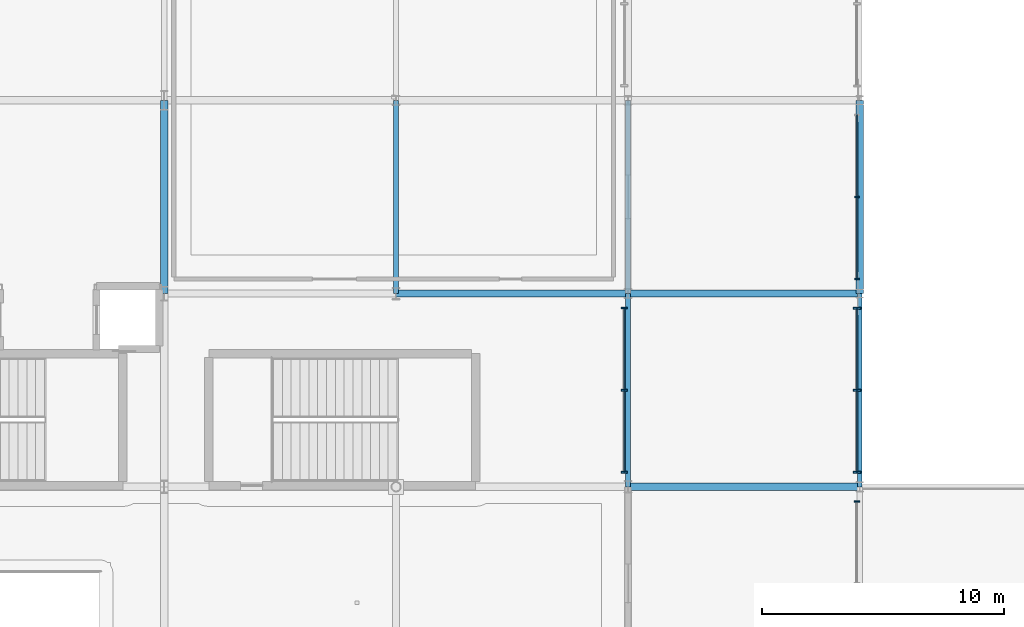
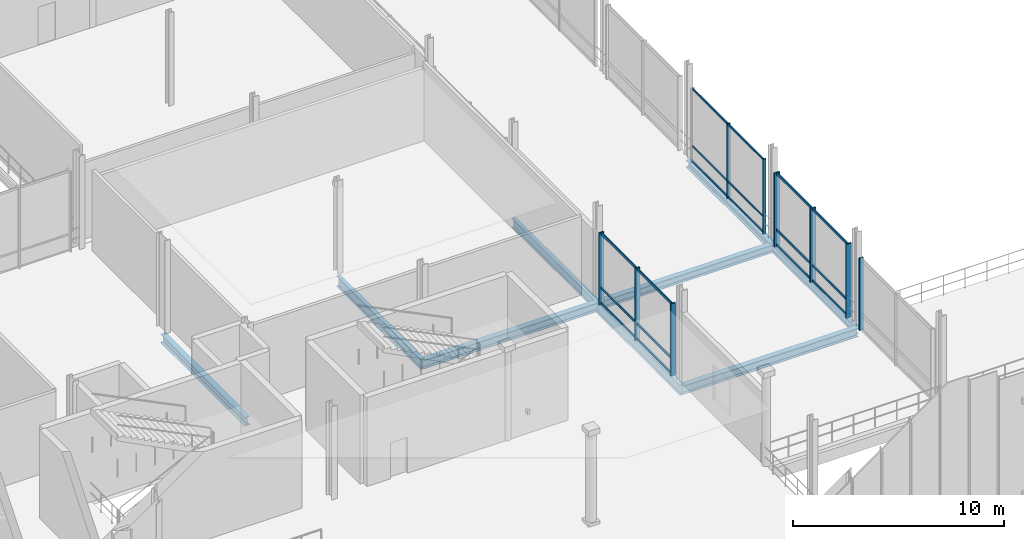
# One storey, part 41 of 129: 18 members, 9 beams, 4 elements without a shape of their own.
"""IFC4 building model written with IfcOpenShell, lengths in metres."""

from ifc_helpers import new_model, si_unit, direction, frame, origin, origin_2d, place, context, subcontext, project, spatial, rectangle, i_section, extrude, material, material_profile, profile_set, type_object, element, aggregate, save


model = new_model("IFC4")

# Units and contexts
model_context = context("Model", 3, precision=1e-05, world=origin(), true_north=direction((0.0, 1.0)))
body_context = subcontext(model_context, "Body", "Model", "MODEL_VIEW")
ifc_project = project(units=[si_unit("LENGTHUNIT", "METRE"), si_unit("AREAUNIT", "SQUARE_METRE"), si_unit("VOLUMEUNIT", "CUBIC_METRE"), si_unit("PLANEANGLEUNIT", "RADIAN"), si_unit("MASSUNIT", "GRAM", prefix="KILO")], contexts=[model_context])

# Site, building, storey
site_placement = place(None, origin())
site = spatial("IfcSite", under=ifc_project, at=site_placement, CompositionType="ELEMENT")
building_placement = place(site_placement, origin())
building = spatial("IfcBuilding", under=site, at=building_placement, Name="Danafjord Basin Convention Centre", CompositionType="ELEMENT")
storey_placement = place(building_placement, frame((0.0, 0.0, 6.0)))
storey = spatial("IfcBuildingStorey", under=building, at=storey_placement, Name="L01", CompositionType="ELEMENT", Elevation=6.0)

# Beams
ifc_material_1 = material(Name="Steel S355", Category="steel")
ifc_material_profile_1 = material_profile(ifc_material_1, i_section(OverallWidth=0.300048828125, OverallDepth=0.449951171875, WebThickness=0.013916015625, FlangeThickness=0.02587890625, FilletRadius=0.027099609375, at=origin_2d()), Name="HEB 450")
ifc_profile_set_1 = profile_set([ifc_material_profile_1], Name="Steel S355")
beam_type_1 = type_object("IfcBeamType", Name="BEAM-BM-HEB450", PredefinedType="BEAM", material=ifc_profile_set_1)
beam_1_placement = place(storey_placement, frame((115.199951171875, 24.0, -0.455078125), z_axis=(1.0, 0.0, 0.0), x_axis=(0.0, 1.0, 0.0)))
element("IfcBeam", 1, at=beam_1_placement, inside=storey, type_object=beam_type_1, Name="L01 girder BM-HEB450", PredefinedType="BEAM", context=body_context, shape_type="SweptSolid", body=[
    extrude(i_section(OverallWidth=0.300048828125, OverallDepth=0.449951171875, WebThickness=0.013916015625, FlangeThickness=0.02587890625, FilletRadius=0.027099609375, at=origin_2d()), origin(), (0.0, 0.0, 1.0), 9.60009765625),
])
ifc_material_profile_2 = material_profile(ifc_material_1, i_section(OverallWidth=0.300048828125, OverallDepth=0.5, WebThickness=0.014404296875, FlangeThickness=0.028076171875, FilletRadius=0.027099609375, at=origin_2d()), Name="HEB 500")
ifc_profile_set_2 = profile_set([ifc_material_profile_2], Name="Steel S355")
beam_type_2 = type_object("IfcBeamType", Name="BEAM-BM-HEB500", PredefinedType="BEAM", material=ifc_profile_set_2)
beam_2_placement = place(storey_placement, frame((105.60009765625, 24.0, -0.47998046875), z_axis=(1.0, 0.0, 0.0), x_axis=(0.0, 1.0, 0.0)))
element("IfcBeam", 2, at=beam_2_placement, inside=storey, type_object=beam_type_2, Name="L01 girder BM-HEB500", PredefinedType="BEAM", context=body_context, shape_type="SweptSolid", body=[
    extrude(i_section(OverallWidth=0.300048828125, OverallDepth=0.5, WebThickness=0.014404296875, FlangeThickness=0.028076171875, FilletRadius=0.027099609375, at=origin_2d()), origin(), (0.0, 0.0, 1.0), 9.599853515625),
])
beam_3_placement = place(storey_placement, frame((115.199951171875, 16.0, -0.47998046875), z_axis=(1.0, 0.0, 0.0), x_axis=(0.0, 1.0, 0.0)))
element("IfcBeam", 3, at=beam_3_placement, inside=storey, type_object=beam_type_2, Name="L01 girder BM-HEB500", PredefinedType="BEAM", context=body_context, shape_type="SweptSolid", body=[
    extrude(i_section(OverallWidth=0.300048828125, OverallDepth=0.5, WebThickness=0.014404296875, FlangeThickness=0.028076171875, FilletRadius=0.027099609375, at=origin_2d()), origin(), (0.0, 0.0, 1.0), 9.60009765625),
])
beam_4_placement = place(storey_placement, frame((96.0, 24.0, -0.47998046875), z_axis=(0.0, 1.0, 0.0), x_axis=(-1.0, 0.0, 0.0)))
element("IfcBeam", 4, at=beam_4_placement, inside=storey, type_object=beam_type_2, Name="L01 transverse girder BM-HEB500", PredefinedType="BEAM", context=body_context, shape_type="SweptSolid", body=[
    extrude(i_section(OverallWidth=0.300048828125, OverallDepth=0.5, WebThickness=0.014404296875, FlangeThickness=0.028076171875, FilletRadius=0.027099609375, at=origin_2d()), origin(), (0.0, 0.0, 1.0), 8.0),
])
ifc_material_profile_3 = material_profile(ifc_material_1, i_section(OverallWidth=0.2099609375, OverallDepth=0.550048828125, WebThickness=0.010986328125, FlangeThickness=0.01708984375, FilletRadius=0.02392578125, at=origin_2d()), Name="IPE 550")
ifc_profile_set_3 = profile_set([ifc_material_profile_3], Name="Steel S355")
beam_type_3 = type_object("IfcBeamType", Name="BEAM-BM-IPE550", PredefinedType="BEAM", material=ifc_profile_set_3)
beam_5_placement = place(storey_placement, frame((115.199951171875, 24.0, -0.5048828125), z_axis=(0.0, 1.0, 0.0), x_axis=(-1.0, 0.0, 0.0)))
element("IfcBeam", 5, at=beam_5_placement, inside=storey, type_object=beam_type_3, Name="L01 transverse girder BM-IPE550", PredefinedType="BEAM", context=body_context, shape_type="SweptSolid", body=[
    extrude(i_section(OverallWidth=0.2099609375, OverallDepth=0.550048828125, WebThickness=0.010986328125, FlangeThickness=0.01708984375, FilletRadius=0.02392578125, at=origin_2d()), origin(), (0.0, 0.0, 1.0), 8.0),
])
ifc_material_profile_4 = material_profile(ifc_material_1, i_section(OverallWidth=0.219970703125, OverallDepth=0.60009765625, WebThickness=0.011962890625, FlangeThickness=0.01904296875, FilletRadius=0.02392578125, at=origin_2d()), Name="IPE 600")
ifc_profile_set_4 = profile_set([ifc_material_profile_4], Name="Steel S355")
beam_type_4 = type_object("IfcBeamType", Name="BEAM-BM-IPE600", PredefinedType="BEAM", material=ifc_profile_set_4)
for number, where, z_axis, x_axis, name in (
    (6, (105.60009765625, 24.0, -0.530029296875), (0.0, 1.0, 0.0), (-1.0, 0.0, 0.0), "L01 transverse girder BM-IPE600"),
    (7, (115.199951171875, 16.0, -0.530029296875), (0.0, 1.0, 0.0), (-1.0, 0.0, 0.0), "L01 transverse girder BM-IPE600"),
):
    element("IfcBeam", number, at=place(storey_placement, frame(where, z_axis=z_axis, x_axis=x_axis)), inside=storey, type_object=beam_type_4, Name=name, PredefinedType="BEAM", context=body_context, shape_type="SweptSolid", body=[
        extrude(i_section(OverallWidth=0.219970703125, OverallDepth=0.60009765625, WebThickness=0.011962890625, FlangeThickness=0.01904296875, FilletRadius=0.02392578125, at=origin_2d()), origin(), (0.0, 0.0, 1.0), 8.0),
    ])
ifc_material_profile_5 = material_profile(ifc_material_1, i_section(OverallWidth=0.300048828125, OverallDepth=0.39990234375, WebThickness=0.013427734375, FlangeThickness=0.02392578125, FilletRadius=0.027099609375, at=origin_2d()), Name="HEB 400")
ifc_profile_set_5 = profile_set([ifc_material_profile_5], Name="Steel S355")
beam_type_5 = type_object("IfcBeamType", Name="BEAM-SP-HEB400", PredefinedType="SPANDREL", material=ifc_profile_set_5)
beam_6_placement = place(storey_placement, frame((124.800048828125, 24.0, -0.429931640625), z_axis=(0.0, 1.0, 0.0), x_axis=(-1.0, 0.0, 0.0)))
element("IfcBeam", 8, at=beam_6_placement, inside=storey, type_object=beam_type_5, Name="L01 transverse girder SP-HEB400", PredefinedType="SPANDREL", context=body_context, shape_type="SweptSolid", body=[
    extrude(i_section(OverallWidth=0.300048828125, OverallDepth=0.39990234375, WebThickness=0.013427734375, FlangeThickness=0.02392578125, FilletRadius=0.027099609375, at=origin_2d()), origin(), (0.0, 0.0, 1.0), 8.0),
])
ifc_material_profile_6 = material_profile(ifc_material_1, i_section(OverallWidth=0.18994140625, OverallDepth=0.449951171875, WebThickness=0.009521484375, FlangeThickness=0.0146484375, FilletRadius=0.02099609375, at=origin_2d()), Name="IPE 450")
ifc_profile_set_6 = profile_set([ifc_material_profile_6], Name="Steel S355")
beam_type_6 = type_object("IfcBeamType", Name="BEAM-SP-IPE450", PredefinedType="SPANDREL", material=ifc_profile_set_6)
beam_7_placement = place(storey_placement, frame((124.800048828125, 16.0, -0.455078125), z_axis=(0.0, 1.0, 0.0), x_axis=(-1.0, 0.0, 0.0)))
element("IfcBeam", 9, at=beam_7_placement, inside=storey, type_object=beam_type_6, Name="L01 transverse girder SP-IPE450", PredefinedType="SPANDREL", context=body_context, shape_type="SweptSolid", body=[
    extrude(i_section(OverallWidth=0.18994140625, OverallDepth=0.449951171875, WebThickness=0.009521484375, FlangeThickness=0.0146484375, FilletRadius=0.02099609375, at=origin_2d()), origin(), (0.0, 0.0, 1.0), 8.0),
])

# Curtain wall, members
ifc_material_2 = material(Name="Anodised aluminium and triple glazing", Category="aluminium")
curtain_wall_type_1 = type_object("IfcCurtainWallType", Name="CW-CW-BRIDGE", PredefinedType="NOTDEFINED", material=ifc_material_2)
curtain_wall_1_placement = place(storey_placement, origin())
curtain_wall_1 = element("IfcCurtainWall", 10, at=curtain_wall_1_placement, inside=storey, type_object=curtain_wall_type_1, Name="L01 CW-BRIDGE unitised curtain wall bay 156", PredefinedType="NOTDEFINED")
ifc_material_3 = material(Name="Anodised aluminium EN AW-6060", Category="aluminium")
ifc_material_profile_7 = material_profile(ifc_material_3, rectangle(XDim=0.06005859375, YDim=0.179931640625, at=origin_2d()), Name="MULL 60x180")
ifc_profile_set_7 = profile_set([ifc_material_profile_7], Name="Anodised aluminium EN AW-6060")
member_type_1 = type_object("IfcMemberType", Name="MEM-ML-180", PredefinedType="MULLION", material=ifc_profile_set_7)
member_1_placement = place(storey_placement, frame((124.679931640625, 24.60009765625, -0.02490234375), z_axis=(0.0, 0.0, 1.0), x_axis=(0.0, 1.0, 0.0)))
member_1 = element("IfcMember", 11, at=member_1_placement, type_object=member_type_1, Name="CW-L01-156 mullion 1", PredefinedType="MULLION", context=body_context, shape_type="SweptSolid", body=[
    extrude(rectangle(XDim=0.06005859375, YDim=0.179931640625, at=origin_2d()), origin(), (0.0, 0.0, 1.0), 4.349853515625),
])
member_2_placement = place(storey_placement, frame((124.679931640625, 28.0, -0.02490234375), z_axis=(0.0, 0.0, 1.0), x_axis=(0.0, 1.0, 0.0)))
member_2 = element("IfcMember", 12, at=member_2_placement, type_object=member_type_1, Name="CW-L01-156 mullion 2", PredefinedType="MULLION", context=body_context, shape_type="SweptSolid", body=[
    extrude(rectangle(XDim=0.06005859375, YDim=0.179931640625, at=origin_2d()), origin(), (0.0, 0.0, 1.0), 4.349853515625),
])

# Curtain wall, member
curtain_wall_2_placement = place(storey_placement, origin())
curtain_wall_2 = element("IfcCurtainWall", 13, at=curtain_wall_2_placement, inside=storey, type_object=curtain_wall_type_1, Name="L01 CW-BRIDGE unitised curtain wall bay 152", PredefinedType="NOTDEFINED")
ifc_material_profile_8 = material_profile(ifc_material_3, rectangle(XDim=0.06494140625, YDim=0.219970703125, at=origin_2d()), Name="MULL 65x220")
ifc_profile_set_8 = profile_set([ifc_material_profile_8], Name="Anodised aluminium EN AW-6060")
member_type_2 = type_object("IfcMemberType", Name="MEM-ML-220", PredefinedType="MULLION", material=ifc_profile_set_8)
member_3_placement = place(storey_placement, frame((124.679931640625, 15.39990234375, -0.02490234375), z_axis=(0.0, 0.0, 1.0), x_axis=(0.0, 1.0, 0.0)))
member_3 = element("IfcMember", 14, at=member_3_placement, type_object=member_type_2, Name="CW-L01-152 mullion 3", PredefinedType="MULLION", context=body_context, shape_type="SweptSolid", body=[
    extrude(rectangle(XDim=0.06494140625, YDim=0.219970703125, at=origin_2d()), origin(), (0.0, 0.0, 1.0), 4.199951171875),
])
aggregate(curtain_wall_2, [member_3])

# Curtain wall, members
curtain_wall_type_2 = type_object("IfcCurtainWallType", Name="CW-CW-TERR", PredefinedType="NOTDEFINED", material=ifc_material_2)
curtain_wall_3_placement = place(storey_placement, origin())
curtain_wall_3 = element("IfcCurtainWall", 15, at=curtain_wall_3_placement, inside=storey, type_object=curtain_wall_type_2, Name="L01 CW-TERR unitised curtain wall bay 58", PredefinedType="NOTDEFINED")
ifc_material_profile_9 = material_profile(ifc_material_3, rectangle(XDim=0.070068359375, YDim=0.260009765625, at=origin_2d()), Name="MULL 70x260")
ifc_profile_set_9 = profile_set([ifc_material_profile_9], Name="Anodised aluminium EN AW-6060")
member_type_3 = type_object("IfcMemberType", Name="MEM-ML-260", PredefinedType="MULLION", material=ifc_profile_set_9)
member_4_placement = place(storey_placement, frame((115.050048828125, 16.60009765625, -0.02490234375), z_axis=(0.0, 0.0, 1.0), x_axis=(0.0, 1.0, 0.0)))
member_4 = element("IfcMember", 16, at=member_4_placement, type_object=member_type_3, Name="CW-L01-058 mullion 1", PredefinedType="MULLION", context=body_context, shape_type="SweptSolid", body=[
    extrude(rectangle(XDim=0.070068359375, YDim=0.260009765625, at=origin_2d()), origin(), (0.0, 0.0, 1.0), 4.199951171875),
])
member_5_placement = place(storey_placement, frame((115.050048828125, 20.0, -0.02490234375), z_axis=(0.0, 0.0, 1.0), x_axis=(0.0, 1.0, 0.0)))
member_5 = element("IfcMember", 17, at=member_5_placement, type_object=member_type_3, Name="CW-L01-058 mullion 2", PredefinedType="MULLION", context=body_context, shape_type="SweptSolid", body=[
    extrude(rectangle(XDim=0.070068359375, YDim=0.260009765625, at=origin_2d()), origin(), (0.0, 0.0, 1.0), 4.199951171875),
])
member_6_placement = place(storey_placement, frame((115.050048828125, 23.39990234375, -0.02490234375), z_axis=(0.0, 0.0, 1.0), x_axis=(0.0, 1.0, 0.0)))
member_6 = element("IfcMember", 18, at=member_6_placement, type_object=member_type_3, Name="CW-L01-058 mullion 3", PredefinedType="MULLION", context=body_context, shape_type="SweptSolid", body=[
    extrude(rectangle(XDim=0.070068359375, YDim=0.260009765625, at=origin_2d()), origin(), (0.0, 0.0, 1.0), 4.199951171875),
])

curtain_wall_4_placement = place(storey_placement, origin())
curtain_wall_4 = element("IfcCurtainWall", 19, at=curtain_wall_4_placement, inside=storey, type_object=curtain_wall_type_1, Name="L01 CW-BRIDGE unitised curtain wall bay 154", PredefinedType="NOTDEFINED")
ifc_material_profile_10 = material_profile(ifc_material_3, rectangle(XDim=0.080078125, YDim=0.300048828125, at=origin_2d()), Name="MULL 80x300")
ifc_profile_set_10 = profile_set([ifc_material_profile_10], Name="Anodised aluminium EN AW-6060")
member_type_4 = type_object("IfcMemberType", Name="MEM-ML-300", PredefinedType="MULLION", material=ifc_profile_set_10)
member_7_placement = place(storey_placement, frame((124.679931640625, 16.60009765625, -0.02490234375), z_axis=(0.0, 0.0, 1.0), x_axis=(0.0, 1.0, 0.0)))
member_7 = element("IfcMember", 20, at=member_7_placement, type_object=member_type_4, Name="CW-L01-154 mullion 1", PredefinedType="MULLION", context=body_context, shape_type="SweptSolid", body=[
    extrude(rectangle(XDim=0.080078125, YDim=0.300048828125, at=origin_2d()), origin(), (0.0, 0.0, 1.0), 4.2998046875),
])
member_8_placement = place(storey_placement, frame((124.679931640625, 20.0, -0.02490234375), z_axis=(0.0, 0.0, 1.0), x_axis=(0.0, 1.0, 0.0)))
member_8 = element("IfcMember", 21, at=member_8_placement, type_object=member_type_4, Name="CW-L01-154 mullion 2", PredefinedType="MULLION", context=body_context, shape_type="SweptSolid", body=[
    extrude(rectangle(XDim=0.080078125, YDim=0.300048828125, at=origin_2d()), origin(), (0.0, 0.0, 1.0), 4.2998046875),
])
member_9_placement = place(storey_placement, frame((124.679931640625, 23.39990234375, -0.02490234375), z_axis=(0.0, 0.0, 1.0), x_axis=(0.0, 1.0, 0.0)))
member_9 = element("IfcMember", 22, at=member_9_placement, type_object=member_type_4, Name="CW-L01-154 mullion 3", PredefinedType="MULLION", context=body_context, shape_type="SweptSolid", body=[
    extrude(rectangle(XDim=0.080078125, YDim=0.300048828125, at=origin_2d()), origin(), (0.0, 0.0, 1.0), 4.2998046875),
])

# Member
ifc_material_profile_11 = material_profile(ifc_material_3, rectangle(XDim=0.06005859375, YDim=0.110107421875, at=origin_2d()), Name="TRAN 60x110")
ifc_profile_set_11 = profile_set([ifc_material_profile_11], Name="Anodised aluminium EN AW-6060")
member_type_5 = type_object("IfcMemberType", Name="MEM-TR-110", PredefinedType="USERDEFINED", material=ifc_profile_set_11)
member_10_placement = place(storey_placement, frame((124.679931640625, 24.60009765625, 0.06005859375), z_axis=(0.0, 1.0, 0.0), x_axis=(-1.0, 0.0, 0.0)))
member_10 = element("IfcMember", 23, at=member_10_placement, type_object=member_type_5, Name="CW-L01-156 transom 1", ObjectType="TRANSOM", PredefinedType="USERDEFINED", context=body_context, shape_type="SweptSolid", body=[
    extrude(rectangle(XDim=0.06005859375, YDim=0.110107421875, at=origin_2d()), origin(), (0.0, 0.0, 1.0), 6.7998046875),
])

member_11_placement = place(storey_placement, frame((124.679931640625, 24.60009765625, 0.949951171875), z_axis=(0.0, 1.0, 0.0), x_axis=(-1.0, 0.0, 0.0)))
member_11 = element("IfcMember", 24, at=member_11_placement, type_object=member_type_5, Name="CW-L01-156 transom 2", ObjectType="TRANSOM", PredefinedType="USERDEFINED", context=body_context, shape_type="SweptSolid", body=[
    extrude(rectangle(XDim=0.06005859375, YDim=0.110107421875, at=origin_2d()), origin(), (0.0, 0.0, 1.0), 6.7998046875),
])

member_12_placement = place(storey_placement, frame((124.679931640625, 24.60009765625, 4.2548828125), z_axis=(0.0, 1.0, 0.0), x_axis=(-1.0, 0.0, 0.0)))
member_12 = element("IfcMember", 25, at=member_12_placement, type_object=member_type_5, Name="CW-L01-156 transom 3", ObjectType="TRANSOM", PredefinedType="USERDEFINED", context=body_context, shape_type="SweptSolid", body=[
    extrude(rectangle(XDim=0.06005859375, YDim=0.110107421875, at=origin_2d()), origin(), (0.0, 0.0, 1.0), 6.7998046875),
])

aggregate(curtain_wall_1, [member_1, member_2, member_10, member_11, member_12])

ifc_material_profile_12 = material_profile(ifc_material_3, rectangle(XDim=0.06005859375, YDim=0.14990234375, at=origin_2d()), Name="TRAN 60x150")
ifc_profile_set_12 = profile_set([ifc_material_profile_12], Name="Anodised aluminium EN AW-6060")
member_type_6 = type_object("IfcMemberType", Name="MEM-TR-150", PredefinedType="USERDEFINED", material=ifc_profile_set_12)
member_13_placement = place(storey_placement, frame((115.050048828125, 16.60009765625, 0.06005859375), z_axis=(0.0, 1.0, 0.0), x_axis=(-1.0, 0.0, 0.0)))
member_13 = element("IfcMember", 26, at=member_13_placement, type_object=member_type_6, Name="CW-L01-058 transom 1", ObjectType="TRANSOM", PredefinedType="USERDEFINED", context=body_context, shape_type="SweptSolid", body=[
    extrude(rectangle(XDim=0.06005859375, YDim=0.14990234375, at=origin_2d()), origin(), (0.0, 0.0, 1.0), 6.7998046875),
])

member_14_placement = place(storey_placement, frame((115.050048828125, 16.60009765625, 0.949951171875), z_axis=(0.0, 1.0, 0.0), x_axis=(-1.0, 0.0, 0.0)))
member_14 = element("IfcMember", 27, at=member_14_placement, type_object=member_type_6, Name="CW-L01-058 transom 2", ObjectType="TRANSOM", PredefinedType="USERDEFINED", context=body_context, shape_type="SweptSolid", body=[
    extrude(rectangle(XDim=0.06005859375, YDim=0.14990234375, at=origin_2d()), origin(), (0.0, 0.0, 1.0), 6.7998046875),
])

member_15_placement = place(storey_placement, frame((115.050048828125, 16.60009765625, 4.10498046875), z_axis=(0.0, 1.0, 0.0), x_axis=(-1.0, 0.0, 0.0)))
member_15 = element("IfcMember", 28, at=member_15_placement, type_object=member_type_6, Name="CW-L01-058 transom 3", ObjectType="TRANSOM", PredefinedType="USERDEFINED", context=body_context, shape_type="SweptSolid", body=[
    extrude(rectangle(XDim=0.06005859375, YDim=0.14990234375, at=origin_2d()), origin(), (0.0, 0.0, 1.0), 6.7998046875),
])

aggregate(curtain_wall_3, [member_4, member_5, member_6, member_13, member_14, member_15])

member_16_placement = place(storey_placement, frame((124.679931640625, 16.60009765625, 0.06005859375), z_axis=(0.0, 1.0, 0.0), x_axis=(-1.0, 0.0, 0.0)))
member_16 = element("IfcMember", 29, at=member_16_placement, type_object=member_type_6, Name="CW-L01-154 transom 1", ObjectType="TRANSOM", PredefinedType="USERDEFINED", context=body_context, shape_type="SweptSolid", body=[
    extrude(rectangle(XDim=0.06005859375, YDim=0.14990234375, at=origin_2d()), origin(), (0.0, 0.0, 1.0), 6.7998046875),
])

member_17_placement = place(storey_placement, frame((124.679931640625, 16.60009765625, 0.949951171875), z_axis=(0.0, 1.0, 0.0), x_axis=(-1.0, 0.0, 0.0)))
member_17 = element("IfcMember", 30, at=member_17_placement, type_object=member_type_6, Name="CW-L01-154 transom 2", ObjectType="TRANSOM", PredefinedType="USERDEFINED", context=body_context, shape_type="SweptSolid", body=[
    extrude(rectangle(XDim=0.06005859375, YDim=0.14990234375, at=origin_2d()), origin(), (0.0, 0.0, 1.0), 6.7998046875),
])

member_18_placement = place(storey_placement, frame((124.679931640625, 16.60009765625, 4.205078125), z_axis=(0.0, 1.0, 0.0), x_axis=(-1.0, 0.0, 0.0)))
member_18 = element("IfcMember", 31, at=member_18_placement, type_object=member_type_6, Name="CW-L01-154 transom 3", ObjectType="TRANSOM", PredefinedType="USERDEFINED", context=body_context, shape_type="SweptSolid", body=[
    extrude(rectangle(XDim=0.06005859375, YDim=0.14990234375, at=origin_2d()), origin(), (0.0, 0.0, 1.0), 6.7998046875),
])

aggregate(curtain_wall_4, [member_7, member_8, member_9, member_16, member_17, member_18])

save(model, "model.ifc")
